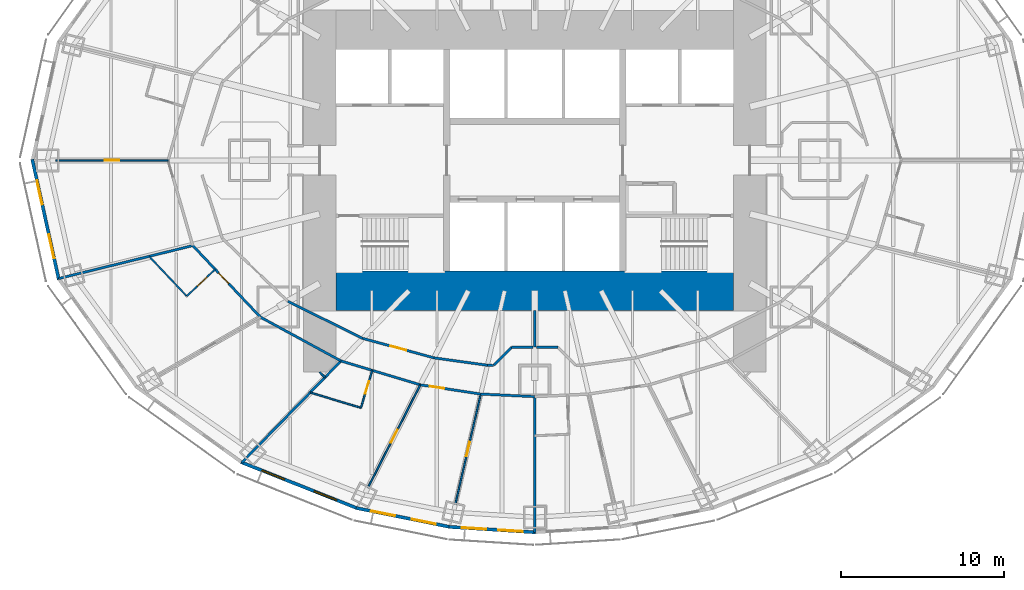
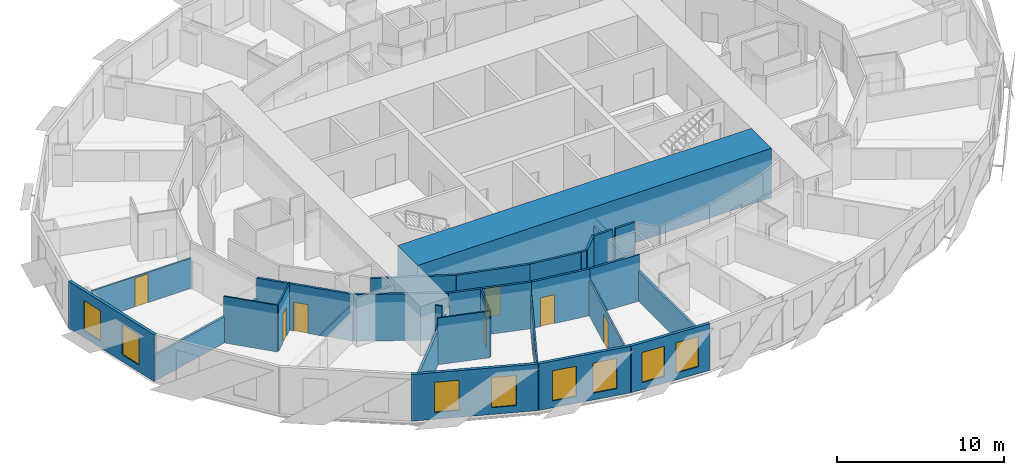
# One storey, part 5 of 15: 29 walls, 8 doors, 8 windows, 16 openings.
"""IFC4 building model written with IfcOpenShell, lengths in metres."""

from ifc_helpers import new_model, si_unit, direction, frame, frame_2d, origin, place, context, subcontext, project, spatial, rectangle, extrude, material, layer, layer_set, type_object, element, fill, save


model = new_model("IFC4")

# Units and contexts
model_context = context("Model", 3, precision=1e-05, world=origin(), true_north=direction((0.0, 1.0)))
body_context = subcontext(model_context, "Body", "Model", "MODEL_VIEW")
ifc_project = project(units=[si_unit("LENGTHUNIT", "METRE"), si_unit("AREAUNIT", "SQUARE_METRE"), si_unit("VOLUMEUNIT", "CUBIC_METRE"), si_unit("PLANEANGLEUNIT", "RADIAN"), si_unit("MASSUNIT", "GRAM", prefix="KILO")], contexts=[model_context])

# Site, building, storey
site_placement = place(None, origin())
site = spatial("IfcSite", under=ifc_project, at=site_placement, CompositionType="ELEMENT")
building_placement = place(site_placement, origin())
building = spatial("IfcBuilding", under=site, at=building_placement, Name="Lantaw Convention Tower", CompositionType="ELEMENT")
storey_placement = place(building_placement, frame((0.0, 0.0, 101.800048828125)))
storey = spatial("IfcBuildingStorey", under=building, at=storey_placement, Name="L24", CompositionType="ELEMENT", Elevation=101.800048828125)

# Walls
ifc_material_1 = material(Name="Gypsum board on steel studs", Category="steel")
ifc_layer_1 = layer(ifc_material_1, 0.14990234375)
ifc_layer_set_1 = layer_set([ifc_layer_1], Name="Back of house wall 150")
wall_type_1 = type_object("IfcWallType", Name="Back of house wall 150", PredefinedType="PARTITIONING", material=ifc_layer_set_1)
wall_1_placement = place(storey_placement, frame((0.0, -9.199951171875, 0.0), z_axis=(0.0, 0.0, 1.0), x_axis=(0.0, -1.0, 0.0)))
element("IfcWall", 1, at=wall_1_placement, inside=storey, type_object=wall_type_1, Name="Back of house wall 150", PredefinedType="PARTITIONING", context=body_context, shape_type="SweptSolid", body=[
    extrude(rectangle(XDim=2.26513671875, YDim=0.14990234375, at=frame_2d((1.132568359375, 0.0))), origin(), (0.0, 0.0, 1.0), 2.199951171875),
])
wall_2_placement = place(storey_placement, frame((0.103271484375, -11.47509765625, 0.0), z_axis=(0.0, 0.0, 1.0), x_axis=(1.0, 0.0, 0.0)))
element("IfcWall", 2, at=wall_2_placement, inside=storey, type_object=wall_type_1, Name="Back of house wall 150", PredefinedType="PARTITIONING", context=body_context, shape_type="SweptSolid", body=[
    extrude(rectangle(XDim=1.3212890625, YDim=0.14990234375, at=frame_2d((0.66064453125, 0.0))), origin(), (0.0, 0.0, 1.0), 3.39990234375),
])

# Wall, opening, door
ifc_material_2 = material(Name="Moisture resistant gypsum board on steel studs", Category="steel")
ifc_layer_2 = layer(ifc_material_2, 0.10009765625)
ifc_layer_set_2 = layer_set([ifc_layer_2], Name="Bathroom wall 100")
wall_type_2 = type_object("IfcWallType", Name="Bathroom wall 100", PredefinedType="PARTITIONING", material=ifc_layer_set_2)
wall_3_placement = place(storey_placement, frame((-19.610107421875, -6.68505859375, 0.0), z_axis=(0.0, 0.0, 1.0), x_axis=(-0.726564480261, -0.687098287018, 0.0)))
wall_3 = element("IfcWall", 3, at=wall_3_placement, inside=storey, type_object=wall_type_2, Name="Bathroom wall 100", PredefinedType="PARTITIONING", context=body_context, shape_type="SweptSolid", body=[
    extrude(rectangle(XDim=2.400146484375, YDim=0.10009765625, at=frame_2d((1.2001953125, 0.0))), origin(), (0.0, 0.0, 1.0), 3.39990234375),
])
opening_1_placement = place(wall_3_placement, frame((0.699951171875, 0.0, 0.0)))
opening_1 = element("IfcOpeningElement", 4, at=opening_1_placement, cuts=wall_3, Name="Opening L24.40", PredefinedType="OPENING", context=body_context, shape_type="SweptSolid", body=[
    extrude(rectangle(XDim=0.800048828125, YDim=2.10009765625, at=frame_2d((0.39990234375, 1.050048828125))), frame((0.0, 0.06005859375, 0.0), z_axis=(0.0, -1.0, 0.0), x_axis=(1.0, 0.0, 0.0)), (0.0, 0.0, 1.0), 0.1201171875),
])
ifc_material_3 = material(Name="Timber", Category="wood")
door_type_1 = type_object("IfcDoorType", Name="Bathroom door 800", OperationType="SINGLE_SWING_LEFT", PredefinedType="DOOR", material=ifc_material_3)
door_1_placement = place(opening_1_placement, origin())
door_1 = element("IfcDoor", 5, at=door_1_placement, inside=storey, type_object=door_type_1, Name="Bathroom door", OperationType="SINGLE_SWING_LEFT", OverallHeight=2.10009765625, OverallWidth=0.800048828125, PredefinedType="DOOR", context=body_context, shape_type="SweptSolid", body=[
    extrude(rectangle(XDim=0.800048828125, YDim=2.10009765625, at=frame_2d((0.39990234375, 1.050048828125))), frame((0.0, 0.02490234375, 0.0), z_axis=(0.0, -1.0, 0.0), x_axis=(1.0, 0.0, 0.0)), (0.0, 0.0, 1.0), 0.050048828125),
])
fill(opening_1, door_1)

# Wall
wall_4_placement = place(storey_placement, frame((-21.35400390625, -8.334228515625, 0.0), z_axis=(0.0, 0.0, 1.0), x_axis=(-0.68705752606, 0.726603024963, 0.0)))
element("IfcWall", 6, at=wall_4_placement, inside=storey, type_object=wall_type_2, Name="Bathroom wall 100", PredefinedType="PARTITIONING", context=body_context, shape_type="SweptSolid", body=[
    extrude(rectangle(XDim=3.352294921875, YDim=0.10009765625, at=frame_2d((1.67626953125, 0.0))), origin(), (0.0, 0.0, 1.0), 3.39990234375),
])

# Wall, opening, door
wall_5_placement = place(storey_placement, frame((-9.97314453125, -12.88720703125, 0.0), z_axis=(0.0, 0.0, 1.0), x_axis=(-0.288290341405, -0.957543042924, 0.0)))
wall_5 = element("IfcWall", 7, at=wall_5_placement, inside=storey, type_object=wall_type_2, Name="Bathroom wall 100", PredefinedType="PARTITIONING", context=body_context, shape_type="SweptSolid", body=[
    extrude(rectangle(XDim=2.39990234375, YDim=0.10009765625, at=frame_2d((1.199951171875, 0.0))), origin(), (0.0, 0.0, 1.0), 3.39990234375),
])
opening_2_placement = place(wall_5_placement, frame((0.699951171875, 0.0, 0.0)))
opening_2 = element("IfcOpeningElement", 8, at=opening_2_placement, cuts=wall_5, Name="Opening L24.43", PredefinedType="OPENING", context=body_context, shape_type="SweptSolid", body=[
    extrude(rectangle(XDim=0.800048828125, YDim=2.10009765625, at=frame_2d((0.39990234375, 1.050048828125))), frame((0.0, 0.06005859375, 0.0), z_axis=(0.0, -1.0, 0.0), x_axis=(1.0, 0.0, 0.0)), (0.0, 0.0, 1.0), 0.1201171875),
])
door_2_placement = place(opening_2_placement, origin())
door_2 = element("IfcDoor", 9, at=door_2_placement, inside=storey, type_object=door_type_1, Name="Bathroom door", OperationType="SINGLE_SWING_LEFT", OverallHeight=2.10009765625, OverallWidth=0.800048828125, PredefinedType="DOOR", context=body_context, shape_type="SweptSolid", body=[
    extrude(rectangle(XDim=0.800048828125, YDim=2.10009765625, at=frame_2d((0.39990234375, 1.050048828125))), frame((0.0, 0.02490234375, 0.0), z_axis=(0.0, -1.0, 0.0), x_axis=(1.0, 0.0, 0.0)), (0.0, 0.0, 1.0), 0.050048828125),
])
fill(opening_2, door_2)

# Walls
wall_6_placement = place(storey_placement, frame((-10.6650390625, -15.185302734375, 0.0), z_axis=(0.0, 0.0, 1.0), x_axis=(-0.957568413147, 0.288206061946, 0.0)))
element("IfcWall", 10, at=wall_6_placement, inside=storey, type_object=wall_type_2, Name="Bathroom wall 100", PredefinedType="PARTITIONING", context=body_context, shape_type="SweptSolid", body=[
    extrude(rectangle(XDim=3.23583984375, YDim=0.10009765625, at=frame_2d((1.617919921875, 0.0))), origin(), (0.0, 0.0, 1.0), 3.39990234375),
])
ifc_material_4 = material(Name="Concrete C60/75", Category="concrete")
ifc_layer_3 = layer(ifc_material_4, 2.39990234375)
ifc_layer_set_3 = layer_set([ifc_layer_3], Name="Core wall 2400")
wall_type_3 = type_object("IfcWallType", Name="Core wall 2400", PredefinedType="SHEAR", material=ifc_layer_set_3)
wall_7_placement = place(storey_placement, frame((-12.199951171875, -8.0, 0.0), z_axis=(0.0, 0.0, 1.0), x_axis=(1.0, 0.0, 0.0)))
element("IfcWall", 11, at=wall_7_placement, inside=storey, type_object=wall_type_3, Name="Core wall S", PredefinedType="SHEAR", context=body_context, shape_type="SweptSolid", body=[
    extrude(rectangle(XDim=24.39990234375, YDim=2.39990234375, at=frame_2d((12.199951171875, 0.0))), origin(), (0.0, 0.0, 1.0), 3.599853515625),
])

# Wall, opening, door
ifc_material_5 = material(Name="Gypsum board on steel studs, fire rated", Category="steel")
ifc_layer_4 = layer(ifc_material_5, 0.14990234375)
ifc_layer_set_4 = layer_set([ifc_layer_4], Name="Corridor wall 150 EI 60")
wall_type_4 = type_object("IfcWallType", Name="Corridor wall 150 EI 60", PredefinedType="PARTITIONING", material=ifc_layer_set_4)
wall_8_placement = place(storey_placement, frame((-20.984375, -5.23193359375, 0.0), z_axis=(0.0, 0.0, 1.0), x_axis=(0.687062608696, -0.726598218916, 0.0)))
wall_8 = element("IfcWall", 12, at=wall_8_placement, inside=storey, type_object=wall_type_4, Name="Corridor wall 150", PredefinedType="PARTITIONING", context=body_context, shape_type="SweptSolid", body=[
    extrude(rectangle(XDim=6.039306640625, YDim=0.14990234375, at=frame_2d((3.01953125, 0.0))), origin(), (0.0, 0.0, 1.0), 3.39990234375),
])
opening_3_placement = place(wall_8_placement, frame((2.306396484375, 0.0, 0.0)))
opening_3 = element("IfcOpeningElement", 13, at=opening_3_placement, cuts=wall_8, Name="Opening L24.42", PredefinedType="OPENING", context=body_context, shape_type="SweptSolid", body=[
    extrude(rectangle(XDim=0.89990234375, YDim=2.10009765625, at=frame_2d((0.449951171875, 1.050048828125))), frame((0.0, 0.0849609375, 0.0), z_axis=(0.0, -1.0, 0.0), x_axis=(1.0, 0.0, 0.0)), (0.0, 0.0, 1.0), 0.169921875),
])
ifc_material_6 = material(Name="Steel, fire rated", Category="steel")
door_type_2 = type_object("IfcDoorType", Name="Guest room entrance door FD30S", OperationType="SINGLE_SWING_LEFT", PredefinedType="DOOR", material=ifc_material_6)
door_3_placement = place(opening_3_placement, origin())
door_3 = element("IfcDoor", 14, at=door_3_placement, inside=storey, type_object=door_type_2, Name="Suite entrance door", OperationType="SINGLE_SWING_LEFT", OverallHeight=2.10009765625, OverallWidth=0.89990234375, PredefinedType="DOOR", context=body_context, shape_type="SweptSolid", body=[
    extrude(rectangle(XDim=0.89990234375, YDim=2.10009765625, at=frame_2d((0.449951171875, 1.050048828125))), frame((0.0, 0.02490234375, 0.0), z_axis=(0.0, -1.0, 0.0), x_axis=(1.0, 0.0, 0.0)), (0.0, 0.0, 1.0), 0.050048828125),
])
fill(opening_3, door_3)

# Walls
wall_9_placement = place(storey_placement, frame((-16.8349609375, -9.6201171875, 0.0), z_axis=(0.0, 0.0, 1.0), x_axis=(0.878450059298, -0.477834169267, 0.0)))
element("IfcWall", 15, at=wall_9_placement, inside=storey, type_object=wall_type_4, Name="Corridor wall 150", PredefinedType="PARTITIONING", context=body_context, shape_type="SweptSolid", body=[
    extrude(rectangle(XDim=5.630859375, YDim=0.14990234375, at=frame_2d((2.8154296875, 0.0))), origin(), (0.0, 0.0, 1.0), 3.39990234375),
])
wall_10_placement = place(storey_placement, frame((-11.888427734375, -12.310791015625, 0.0), z_axis=(0.0, 0.0, 1.0), x_axis=(0.957564241242, -0.288219922793, 0.0)))
element("IfcWall", 16, at=wall_10_placement, inside=storey, type_object=wall_type_4, Name="Corridor wall 150", PredefinedType="PARTITIONING", context=body_context, shape_type="SweptSolid", body=[
    extrude(rectangle(XDim=5.0849609375, YDim=0.14990234375, at=frame_2d((2.54248046875, 0.0))), origin(), (0.0, 0.0, 1.0), 3.39990234375),
])

# Wall, opening, door
wall_11_placement = place(storey_placement, frame((-7.019287109375, -13.7763671875, 0.0), z_axis=(0.0, 0.0, 1.0), x_axis=(0.988564270062, -0.150800145746, 0.0)))
wall_11 = element("IfcWall", 17, at=wall_11_placement, inside=storey, type_object=wall_type_4, Name="Corridor wall 150", PredefinedType="PARTITIONING", context=body_context, shape_type="SweptSolid", body=[
    extrude(rectangle(XDim=3.751220703125, YDim=0.14990234375, at=frame_2d((1.87548828125, 0.0))), origin(), (0.0, 0.0, 1.0), 3.39990234375),
])
opening_4_placement = place(wall_11_placement, frame((0.5751953125, 0.0, 0.0)))
opening_4 = element("IfcOpeningElement", 18, at=opening_4_placement, cuts=wall_11, Name="Opening L24.46", PredefinedType="OPENING", context=body_context, shape_type="SweptSolid", body=[
    extrude(rectangle(XDim=0.89990234375, YDim=2.10009765625, at=frame_2d((0.449951171875, 1.050048828125))), frame((0.0, 0.0849609375, 0.0), z_axis=(0.0, -1.0, 0.0), x_axis=(1.0, 0.0, 0.0)), (0.0, 0.0, 1.0), 0.169921875),
])
door_4_placement = place(opening_4_placement, origin())
door_4 = element("IfcDoor", 19, at=door_4_placement, inside=storey, type_object=door_type_2, Name="Suite entrance door", OperationType="SINGLE_SWING_LEFT", OverallHeight=2.10009765625, OverallWidth=0.89990234375, PredefinedType="DOOR", context=body_context, shape_type="SweptSolid", body=[
    extrude(rectangle(XDim=0.89990234375, YDim=2.10009765625, at=frame_2d((0.449951171875, 1.050048828125))), frame((0.0, 0.02490234375, 0.0), z_axis=(0.0, -1.0, 0.0), x_axis=(1.0, 0.0, 0.0)), (0.0, 0.0, 1.0), 0.050048828125),
])
fill(opening_4, door_4)

# Walls
wall_12_placement = place(storey_placement, frame((-3.31103515625, -14.342041015625, 0.0), z_axis=(0.0, 0.0, 1.0), x_axis=(0.998863968075, -0.047652631422, 0.0)))
element("IfcWall", 20, at=wall_12_placement, inside=storey, type_object=wall_type_4, Name="Corridor wall 150", PredefinedType="PARTITIONING", context=body_context, shape_type="SweptSolid", body=[
    extrude(rectangle(XDim=3.314697265625, YDim=0.14990234375, at=frame_2d((1.6572265625, 0.0))), origin(), (0.0, 0.0, 1.0), 3.39990234375),
])
wall_13_placement = place(storey_placement, frame((-15.1474609375, -8.65576171875, 0.0), z_axis=(0.0, 0.0, 1.0), x_axis=(0.89656943448, -0.442903205177, 0.0)))
element("IfcWall", 21, at=wall_13_placement, inside=storey, type_object=wall_type_4, Name="Corridor wall 150", PredefinedType="PARTITIONING", context=body_context, shape_type="SweptSolid", body=[
    extrude(rectangle(XDim=5.12646484375, YDim=0.14990234375, at=frame_2d((2.563232421875, 0.0))), origin(), (0.0, 0.0, 1.0), 3.39990234375),
])

# Wall, opening, door
wall_14_placement = place(storey_placement, frame((-10.55126953125, -10.92626953125, 0.0), z_axis=(0.0, 0.0, 1.0), x_axis=(0.964644466646, -0.263554648923, 0.0)))
wall_14 = element("IfcWall", 22, at=wall_14_placement, inside=storey, type_object=wall_type_4, Name="Corridor wall 150", PredefinedType="PARTITIONING", context=body_context, shape_type="SweptSolid", body=[
    extrude(rectangle(XDim=4.535400390625, YDim=0.14990234375, at=frame_2d((2.267578125, 0.0))), origin(), (0.0, 0.0, 1.0), 3.39990234375),
])
opening_5_placement = place(wall_14_placement, frame((1.767578125, 0.0, 0.0)))
opening_5 = element("IfcOpeningElement", 23, at=opening_5_placement, cuts=wall_14, Name="Opening L24.21", PredefinedType="OPENING", context=body_context, shape_type="SweptSolid", body=[
    extrude(rectangle(XDim=1.0, YDim=2.10009765625, at=frame_2d((0.5, 1.050048828125))), frame((0.0, 0.0849609375, 0.0), z_axis=(0.0, -1.0, 0.0), x_axis=(1.0, 0.0, 0.0)), (0.0, 0.0, 1.0), 0.169921875),
])
door_type_3 = type_object("IfcDoorType", Name="Service door 1000 FD30", OperationType="SINGLE_SWING_LEFT", PredefinedType="DOOR", material=ifc_material_6)
door_5_placement = place(opening_5_placement, origin())
door_5 = element("IfcDoor", 24, at=door_5_placement, inside=storey, type_object=door_type_3, Name="Staff room door", OperationType="SINGLE_SWING_LEFT", OverallHeight=2.10009765625, OverallWidth=1.0, PredefinedType="DOOR", context=body_context, shape_type="SweptSolid", body=[
    extrude(rectangle(XDim=1.0, YDim=2.10009765625, at=frame_2d((0.5, 1.050048828125))), frame((0.0, 0.02490234375, 0.0), z_axis=(0.0, -1.0, 0.0), x_axis=(1.0, 0.0, 0.0)), (0.0, 0.0, 1.0), 0.050048828125),
])
fill(opening_5, door_5)

# Walls
wall_15_placement = place(storey_placement, frame((-6.17626953125, -12.12158203125, 0.0), z_axis=(0.0, 0.0, 1.0), x_axis=(0.990563451353, -0.137054911782, 0.0)))
element("IfcWall", 25, at=wall_15_placement, inside=storey, type_object=wall_type_4, Name="Corridor wall 150", PredefinedType="PARTITIONING", context=body_context, shape_type="SweptSolid", body=[
    extrude(rectangle(XDim=3.304443359375, YDim=0.14990234375, at=frame_2d((1.65234375, 0.0))), origin(), (0.0, 0.0, 1.0), 3.39990234375),
])
wall_16_placement = place(storey_placement, frame((-2.903076171875, -12.574462890625, 0.0), z_axis=(0.0, 0.0, 1.0), x_axis=(0.999061181733, -0.04332153223, 0.0)))
element("IfcWall", 26, at=wall_16_placement, inside=storey, type_object=wall_type_4, Name="Corridor wall 150", PredefinedType="PARTITIONING", context=body_context, shape_type="SweptSolid", body=[
    extrude(rectangle(XDim=0.3662109375, YDim=0.14990234375, at=frame_2d((0.18310546875, 0.0))), origin(), (0.0, 0.0, 1.0), 3.39990234375),
])
wall_17_placement = place(storey_placement, frame((-2.50634765625, -12.57373046875, 0.0), z_axis=(0.0, 0.0, 1.0), x_axis=(0.701622806479, 0.712548550927, 0.0)))
element("IfcWall", 27, at=wall_17_placement, inside=storey, type_object=wall_type_4, Name="Corridor wall 150", PredefinedType="PARTITIONING", context=body_context, shape_type="SweptSolid", body=[
    extrude(rectangle(XDim=1.541748046875, YDim=0.14990234375, at=frame_2d((0.77099609375, 0.0))), origin(), (0.0, 0.0, 1.0), 3.39990234375),
])
wall_18_placement = place(storey_placement, frame((-1.424560546875, -11.47509765625, 0.0), z_axis=(0.0, 0.0, 1.0), x_axis=(1.0, 0.0, 0.0)))
element("IfcWall", 28, at=wall_18_placement, inside=storey, type_object=wall_type_4, Name="Corridor wall 150", PredefinedType="PARTITIONING", context=body_context, shape_type="SweptSolid", body=[
    extrude(rectangle(XDim=1.3212890625, YDim=0.14990234375, at=frame_2d((0.66064453125, 0.0))), origin(), (0.0, 0.0, 1.0), 3.39990234375),
])

# Wall, openings, windows
ifc_material_7 = material(Name="Insulated aluminium panel on steel frame", Category="steel")
ifc_layer_5 = layer(ifc_material_7, 0.199951171875)
ifc_layer_set_5 = layer_set([ifc_layer_5], Name="External wall 200")
wall_type_5 = type_object("IfcWallType", Name="External wall 200", PredefinedType="SOLIDWALL", material=ifc_layer_set_5)
wall_19_placement = place(storey_placement, frame((-30.83544921875, 0.06689453125, 0.0), z_axis=(0.0, 0.0, 1.0), x_axis=(0.215238065514, -0.976561608478, 0.0)))
wall_19 = element("IfcWall", 29, at=wall_19_placement, inside=storey, type_object=wall_type_5, Name="Facade panel wall", PredefinedType="SOLIDWALL", context=body_context, shape_type="SweptSolid", body=[
    extrude(rectangle(XDim=7.562255859375, YDim=0.199951171875, at=frame_2d((3.78125, 0.0))), origin(), (0.0, 0.0, 1.0), 3.39990234375),
])
opening_6_placement = place(wall_19_placement, frame((1.340576171875, 0.0, 0.5)))
opening_6 = element("IfcOpeningElement", 30, at=opening_6_placement, cuts=wall_19, Name="Opening W2", PredefinedType="OPENING", context=body_context, shape_type="SweptSolid", body=[
    extrude(rectangle(XDim=1.5, YDim=2.199951171875, at=frame_2d((0.75, 1.10009765625))), frame((0.0, 0.10986328125, 0.0), z_axis=(0.0, -1.0, 0.0), x_axis=(1.0, 0.0, 0.0)), (0.0, 0.0, 1.0), 0.219970703125),
])
opening_7_placement = place(wall_19_placement, frame((4.7216796875, 0.0, 0.5)))
opening_7 = element("IfcOpeningElement", 31, at=opening_7_placement, cuts=wall_19, Name="Opening W2", PredefinedType="OPENING", context=body_context, shape_type="SweptSolid", body=[
    extrude(rectangle(XDim=1.5, YDim=2.199951171875, at=frame_2d((0.75, 1.10009765625))), frame((0.0, 0.10986328125, 0.0), z_axis=(0.0, -1.0, 0.0), x_axis=(1.0, 0.0, 0.0)), (0.0, 0.0, 1.0), 0.219970703125),
])
ifc_material_8 = material(Name="Aluminium frame, clear insulating glass", Category="aluminium")
window_type = type_object("IfcWindowType", Name="Suite window 1500x2200", PartitioningType="SINGLE_PANEL", PredefinedType="WINDOW", material=ifc_material_8)
window_1_placement = place(opening_6_placement, origin())
window_1 = element("IfcWindow", 32, at=window_1_placement, inside=storey, type_object=window_type, Name="Guest room window", OverallHeight=2.199951171875, OverallWidth=1.5, PartitioningType="SINGLE_PANEL", PredefinedType="WINDOW", context=body_context, shape_type="SweptSolid", body=[
    extrude(rectangle(XDim=1.5, YDim=2.199951171875, at=frame_2d((0.75, 1.10009765625))), frame((0.0, 0.030029296875, 0.0), z_axis=(0.0, -1.0, 0.0), x_axis=(1.0, 0.0, 0.0)), (0.0, 0.0, 1.0), 0.06005859375),
])
fill(opening_6, window_1)
window_2_placement = place(opening_7_placement, origin())
window_2 = element("IfcWindow", 33, at=window_2_placement, inside=storey, type_object=window_type, Name="Guest room window", OverallHeight=2.199951171875, OverallWidth=1.5, PartitioningType="SINGLE_PANEL", PredefinedType="WINDOW", context=body_context, shape_type="SweptSolid", body=[
    extrude(rectangle(XDim=1.5, YDim=2.199951171875, at=frame_2d((0.75, 1.10009765625))), frame((0.0, 0.030029296875, 0.0), z_axis=(0.0, -1.0, 0.0), x_axis=(1.0, 0.0, 0.0)), (0.0, 0.0, 1.0), 0.06005859375),
])
fill(opening_7, window_2)

wall_20_placement = place(storey_placement, frame((-18.018310546875, -18.522705078125, 0.0), z_axis=(0.0, 0.0, 1.0), x_axis=(0.929358351251, -0.369178892895, 0.0)))
wall_20 = element("IfcWall", 34, at=wall_20_placement, inside=storey, type_object=wall_type_5, Name="Facade panel wall", PredefinedType="SOLIDWALL", context=body_context, shape_type="SweptSolid", body=[
    extrude(rectangle(XDim=7.6923828125, YDim=0.199951171875, at=frame_2d((3.84619140625, 0.0))), origin(), (0.0, 0.0, 1.0), 3.39990234375),
])
opening_8_placement = place(wall_20_placement, frame((1.373046875, 0.0, 0.5)))
opening_8 = element("IfcOpeningElement", 35, at=opening_8_placement, cuts=wall_20, Name="Opening W2", PredefinedType="OPENING", context=body_context, shape_type="SweptSolid", body=[
    extrude(rectangle(XDim=1.5, YDim=2.199951171875, at=frame_2d((0.75, 1.10009765625))), frame((0.0, 0.10986328125, 0.0), z_axis=(0.0, -1.0, 0.0), x_axis=(1.0, 0.0, 0.0)), (0.0, 0.0, 1.0), 0.219970703125),
])
opening_9_placement = place(wall_20_placement, frame((4.819091796875, 0.0, 0.5)))
opening_9 = element("IfcOpeningElement", 36, at=opening_9_placement, cuts=wall_20, Name="Opening W2", PredefinedType="OPENING", context=body_context, shape_type="SweptSolid", body=[
    extrude(rectangle(XDim=1.5, YDim=2.199951171875, at=frame_2d((0.75, 1.10009765625))), frame((0.0, 0.10986328125, 0.0), z_axis=(0.0, -1.0, 0.0), x_axis=(1.0, 0.0, 0.0)), (0.0, 0.0, 1.0), 0.219970703125),
])
window_3_placement = place(opening_8_placement, origin())
window_3 = element("IfcWindow", 37, at=window_3_placement, inside=storey, type_object=window_type, Name="Guest room window", OverallHeight=2.199951171875, OverallWidth=1.5, PartitioningType="SINGLE_PANEL", PredefinedType="WINDOW", context=body_context, shape_type="SweptSolid", body=[
    extrude(rectangle(XDim=1.5, YDim=2.199951171875, at=frame_2d((0.75, 1.10009765625))), frame((0.0, 0.030029296875, 0.0), z_axis=(0.0, -1.0, 0.0), x_axis=(1.0, 0.0, 0.0)), (0.0, 0.0, 1.0), 0.06005859375),
])
fill(opening_8, window_3)
window_4_placement = place(opening_9_placement, origin())
window_4 = element("IfcWindow", 38, at=window_4_placement, inside=storey, type_object=window_type, Name="Guest room window", OverallHeight=2.199951171875, OverallWidth=1.5, PartitioningType="SINGLE_PANEL", PredefinedType="WINDOW", context=body_context, shape_type="SweptSolid", body=[
    extrude(rectangle(XDim=1.5, YDim=2.199951171875, at=frame_2d((0.75, 1.10009765625))), frame((0.0, 0.030029296875, 0.0), z_axis=(0.0, -1.0, 0.0), x_axis=(1.0, 0.0, 0.0)), (0.0, 0.0, 1.0), 0.06005859375),
])
fill(opening_9, window_4)

wall_21_placement = place(storey_placement, frame((-10.956787109375, -21.336669921875, 0.0), z_axis=(0.0, 0.0, 1.0), x_axis=(0.980251657452, -0.197754110105, 0.0)))
wall_21 = element("IfcWall", 39, at=wall_21_placement, inside=storey, type_object=wall_type_5, Name="Facade panel wall", PredefinedType="SOLIDWALL", context=body_context, shape_type="SweptSolid", body=[
    extrude(rectangle(XDim=5.90380859375, YDim=0.199951171875, at=frame_2d((2.951904296875, 0.0))), origin(), (0.0, 0.0, 1.0), 3.39990234375),
])
opening_10_placement = place(wall_21_placement, frame((0.92578125, 0.0, 0.5)))
opening_10 = element("IfcOpeningElement", 40, at=opening_10_placement, cuts=wall_21, Name="Opening W2", PredefinedType="OPENING", context=body_context, shape_type="SweptSolid", body=[
    extrude(rectangle(XDim=1.5, YDim=2.199951171875, at=frame_2d((0.75, 1.10009765625))), frame((0.0, 0.10986328125, 0.0), z_axis=(0.0, -1.0, 0.0), x_axis=(1.0, 0.0, 0.0)), (0.0, 0.0, 1.0), 0.219970703125),
])
opening_11_placement = place(wall_21_placement, frame((3.477783203125, 0.0, 0.5)))
opening_11 = element("IfcOpeningElement", 41, at=opening_11_placement, cuts=wall_21, Name="Opening W2", PredefinedType="OPENING", context=body_context, shape_type="SweptSolid", body=[
    extrude(rectangle(XDim=1.5, YDim=2.199951171875, at=frame_2d((0.75, 1.10009765625))), frame((0.0, 0.10986328125, 0.0), z_axis=(0.0, -1.0, 0.0), x_axis=(1.0, 0.0, 0.0)), (0.0, 0.0, 1.0), 0.219970703125),
])
window_5_placement = place(opening_10_placement, origin())
window_5 = element("IfcWindow", 42, at=window_5_placement, inside=storey, type_object=window_type, Name="Guest room window", OverallHeight=2.199951171875, OverallWidth=1.5, PartitioningType="SINGLE_PANEL", PredefinedType="WINDOW", context=body_context, shape_type="SweptSolid", body=[
    extrude(rectangle(XDim=1.5, YDim=2.199951171875, at=frame_2d((0.75, 1.10009765625))), frame((0.0, 0.030029296875, 0.0), z_axis=(0.0, -1.0, 0.0), x_axis=(1.0, 0.0, 0.0)), (0.0, 0.0, 1.0), 0.06005859375),
])
fill(opening_10, window_5)
window_6_placement = place(opening_11_placement, origin())
window_6 = element("IfcWindow", 43, at=window_6_placement, inside=storey, type_object=window_type, Name="Guest room window", OverallHeight=2.199951171875, OverallWidth=1.5, PartitioningType="SINGLE_PANEL", PredefinedType="WINDOW", context=body_context, shape_type="SweptSolid", body=[
    extrude(rectangle(XDim=1.5, YDim=2.199951171875, at=frame_2d((0.75, 1.10009765625))), frame((0.0, 0.030029296875, 0.0), z_axis=(0.0, -1.0, 0.0), x_axis=(1.0, 0.0, 0.0)), (0.0, 0.0, 1.0), 0.06005859375),
])
fill(opening_11, window_6)

wall_22_placement = place(storey_placement, frame((-5.252685546875, -22.493408203125, 0.0), z_axis=(0.0, 0.0, 1.0), x_axis=(0.998018582375, -0.062919863585, 0.0)))
wall_22 = element("IfcWall", 44, at=wall_22_placement, inside=storey, type_object=wall_type_5, Name="Facade panel wall", PredefinedType="SOLIDWALL", context=body_context, shape_type="SweptSolid", body=[
    extrude(rectangle(XDim=5.30419921875, YDim=0.199951171875, at=frame_2d((2.652099609375, 0.0))), origin(), (0.0, 0.0, 1.0), 3.39990234375),
])
opening_12_placement = place(wall_22_placement, frame((0.77587890625, 0.0, 0.5)))
opening_12 = element("IfcOpeningElement", 45, at=opening_12_placement, cuts=wall_22, Name="Opening W2", PredefinedType="OPENING", context=body_context, shape_type="SweptSolid", body=[
    extrude(rectangle(XDim=1.5, YDim=2.199951171875, at=frame_2d((0.75, 1.10009765625))), frame((0.0, 0.10986328125, 0.0), z_axis=(0.0, -1.0, 0.0), x_axis=(1.0, 0.0, 0.0)), (0.0, 0.0, 1.0), 0.219970703125),
])
opening_13_placement = place(wall_22_placement, frame((3.028076171875, 0.0, 0.5)))
opening_13 = element("IfcOpeningElement", 46, at=opening_13_placement, cuts=wall_22, Name="Opening W2", PredefinedType="OPENING", context=body_context, shape_type="SweptSolid", body=[
    extrude(rectangle(XDim=1.5, YDim=2.199951171875, at=frame_2d((0.75, 1.10009765625))), frame((0.0, 0.10986328125, 0.0), z_axis=(0.0, -1.0, 0.0), x_axis=(1.0, 0.0, 0.0)), (0.0, 0.0, 1.0), 0.219970703125),
])
window_7_placement = place(opening_12_placement, origin())
window_7 = element("IfcWindow", 47, at=window_7_placement, inside=storey, type_object=window_type, Name="Guest room window", OverallHeight=2.199951171875, OverallWidth=1.5, PartitioningType="SINGLE_PANEL", PredefinedType="WINDOW", context=body_context, shape_type="SweptSolid", body=[
    extrude(rectangle(XDim=1.5, YDim=2.199951171875, at=frame_2d((0.75, 1.10009765625))), frame((0.0, 0.030029296875, 0.0), z_axis=(0.0, -1.0, 0.0), x_axis=(1.0, 0.0, 0.0)), (0.0, 0.0, 1.0), 0.06005859375),
])
fill(opening_12, window_7)
window_8_placement = place(opening_13_placement, origin())
window_8 = element("IfcWindow", 48, at=window_8_placement, inside=storey, type_object=window_type, Name="Guest room window", OverallHeight=2.199951171875, OverallWidth=1.5, PartitioningType="SINGLE_PANEL", PredefinedType="WINDOW", context=body_context, shape_type="SweptSolid", body=[
    extrude(rectangle(XDim=1.5, YDim=2.199951171875, at=frame_2d((0.75, 1.10009765625))), frame((0.0, 0.030029296875, 0.0), z_axis=(0.0, -1.0, 0.0), x_axis=(1.0, 0.0, 0.0)), (0.0, 0.0, 1.0), 0.06005859375),
])
fill(opening_13, window_8)

# Walls
ifc_material_9 = material(Name="Gypsum board on steel studs, acoustic", Category="steel")
ifc_layer_6 = layer(ifc_material_9, 0.14990234375)
ifc_layer_set_6 = layer_set([ifc_layer_6], Name="Guest room party wall 150")
wall_type_6 = type_object("IfcWallType", Name="Guest room party wall 150", PredefinedType="PARTITIONING", material=ifc_layer_set_6)
wall_23_placement = place(storey_placement, frame((-29.221923828125, -7.253662109375, 0.0), z_axis=(0.0, 0.0, 1.0), x_axis=(0.971178166182, 0.238354713676, 0.0)))
element("IfcWall", 49, at=wall_23_placement, inside=storey, type_object=wall_type_6, Name="Guest room party wall 150", PredefinedType="PARTITIONING", context=body_context, shape_type="SweptSolid", body=[
    extrude(rectangle(XDim=8.48193359375, YDim=0.14990234375, at=frame_2d((4.240966796875, 0.0))), origin(), (0.0, 0.0, 1.0), 1.89990234375),
])
wall_24_placement = place(storey_placement, frame((-17.970458984375, -18.541748046875, 0.0), z_axis=(0.0, 0.0, 1.0), x_axis=(0.698503223934, 0.715606907564, 0.0)))
element("IfcWall", 50, at=wall_24_placement, inside=storey, type_object=wall_type_6, Name="Guest room party wall 150", PredefinedType="PARTITIONING", context=body_context, shape_type="SweptSolid", body=[
    extrude(rectangle(XDim=8.707275390625, YDim=0.14990234375, at=frame_2d((4.353515625, 0.0))), origin(), (0.0, 0.0, 1.0), 2.462646484375),
])
wall_25_placement = place(storey_placement, frame((0.0, -22.82470703125, 0.0), z_axis=(0.0, 0.0, 1.0), x_axis=(0.0, 1.0, 0.0)))
element("IfcWall", 51, at=wall_25_placement, inside=storey, type_object=wall_type_6, Name="Guest room party wall 150", PredefinedType="PARTITIONING", context=body_context, shape_type="SweptSolid", body=[
    extrude(rectangle(XDim=8.32470703125, YDim=0.14990234375, at=frame_2d((4.162353515625, 0.0))), origin(), (0.0, 0.0, 1.0), 2.199951171875),
])
ifc_layer_7 = layer(ifc_material_9, 0.10009765625)
ifc_layer_set_7 = layer_set([ifc_layer_7], Name="Office partition 100")
wall_type_7 = type_object("IfcWallType", Name="Office partition 100", PredefinedType="PARTITIONING", material=ifc_layer_set_7)
wall_26_placement = place(storey_placement, frame((-13.199951171875, -13.0, 0.0), z_axis=(0.0, 0.0, 1.0), x_axis=(0.715599628005, -0.698510681664, 0.0)))
element("IfcWall", 52, at=wall_26_placement, inside=storey, type_object=wall_type_7, Name="Office partition 100", PredefinedType="PARTITIONING", context=body_context, shape_type="SweptSolid", body=[
    extrude(rectangle(XDim=0.457275390625, YDim=0.10009765625, at=frame_2d((0.228515625, 0.0))), origin(), (0.0, 0.0, 1.0), 3.39990234375),
])

# Wall, opening, door
ifc_layer_8 = layer(ifc_material_1, 0.10009765625)
ifc_layer_set_8 = layer_set([ifc_layer_8], Name="Suite partition 100")
wall_type_8 = type_object("IfcWallType", Name="Suite partition 100", PredefinedType="PARTITIONING", material=ifc_layer_set_8)
wall_27_placement = place(storey_placement, frame((-29.39990234375, 0.0, 0.0), z_axis=(0.0, 0.0, 1.0), x_axis=(1.0, 0.0, 0.0)))
wall_27 = element("IfcWall", 53, at=wall_27_placement, inside=storey, type_object=wall_type_8, Name="Suite partition 100", PredefinedType="PARTITIONING", context=body_context, shape_type="SweptSolid", body=[
    extrude(rectangle(XDim=6.89990234375, YDim=0.10009765625, at=frame_2d((3.449951171875, 0.0))), origin(), (0.0, 0.0, 1.0), 2.199951171875),
])
opening_14_placement = place(wall_27_placement, frame((3.0, 0.0, 0.0)))
opening_14 = element("IfcOpeningElement", 54, at=opening_14_placement, cuts=wall_27, Name="Opening L24.38", PredefinedType="OPENING", context=body_context, shape_type="SweptSolid", body=[
    extrude(rectangle(XDim=0.89990234375, YDim=2.10009765625, at=frame_2d((0.449951171875, 1.050048828125))), frame((0.0, 0.06005859375, 0.0), z_axis=(0.0, -1.0, 0.0), x_axis=(1.0, 0.0, 0.0)), (0.0, 0.0, 1.0), 0.1201171875),
])
door_type_4 = type_object("IfcDoorType", Name="Suite door 900", OperationType="SINGLE_SWING_LEFT", PredefinedType="DOOR", material=ifc_material_3)
door_6_placement = place(opening_14_placement, origin())
door_6 = element("IfcDoor", 55, at=door_6_placement, inside=storey, type_object=door_type_4, Name="Bedroom door", OperationType="SINGLE_SWING_LEFT", OverallHeight=2.10009765625, OverallWidth=0.89990234375, PredefinedType="DOOR", context=body_context, shape_type="SweptSolid", body=[
    extrude(rectangle(XDim=0.89990234375, YDim=2.10009765625, at=frame_2d((0.449951171875, 1.050048828125))), frame((0.0, 0.02490234375, 0.0), z_axis=(0.0, -1.0, 0.0), x_axis=(1.0, 0.0, 0.0)), (0.0, 0.0, 1.0), 0.050048828125),
])
fill(opening_14, door_6)

wall_28_placement = place(storey_placement, frame((-10.235595703125, -20.08837890625, 0.0), z_axis=(0.0, 0.0, 1.0), x_axis=(0.454010445571, 0.890996360998, 0.0)))
wall_28 = element("IfcWall", 56, at=wall_28_placement, inside=storey, type_object=wall_type_8, Name="Suite partition 100", PredefinedType="PARTITIONING", context=body_context, shape_type="SweptSolid", body=[
    extrude(rectangle(XDim=7.084228515625, YDim=0.10009765625, at=frame_2d((3.5419921875, 0.0))), origin(), (0.0, 0.0, 1.0), 2.462646484375),
])
opening_15_placement = place(wall_28_placement, frame((3.092041015625, 0.0, 0.0)))
opening_15 = element("IfcOpeningElement", 57, at=opening_15_placement, cuts=wall_28, Name="Opening L24.44", PredefinedType="OPENING", context=body_context, shape_type="SweptSolid", body=[
    extrude(rectangle(XDim=0.89990234375, YDim=2.10009765625, at=frame_2d((0.449951171875, 1.050048828125))), frame((0.0, 0.06005859375, 0.0), z_axis=(0.0, -1.0, 0.0), x_axis=(1.0, 0.0, 0.0)), (0.0, 0.0, 1.0), 0.1201171875),
])
door_7_placement = place(opening_15_placement, origin())
door_7 = element("IfcDoor", 58, at=door_7_placement, inside=storey, type_object=door_type_4, Name="Bedroom door", OperationType="SINGLE_SWING_LEFT", OverallHeight=2.10009765625, OverallWidth=0.89990234375, PredefinedType="DOOR", context=body_context, shape_type="SweptSolid", body=[
    extrude(rectangle(XDim=0.89990234375, YDim=2.10009765625, at=frame_2d((0.449951171875, 1.050048828125))), frame((0.0, 0.02490234375, 0.0), z_axis=(0.0, -1.0, 0.0), x_axis=(1.0, 0.0, 0.0)), (0.0, 0.0, 1.0), 0.050048828125),
])
fill(opening_15, door_7)

wall_29_placement = place(storey_placement, frame((-4.873779296875, -21.11083984375, 0.0), z_axis=(0.0, 0.0, 1.0), x_axis=(0.224957040173, 0.974368682828, 0.0)))
wall_29 = element("IfcWall", 59, at=wall_29_placement, inside=storey, type_object=wall_type_8, Name="Suite partition 100", PredefinedType="PARTITIONING", context=body_context, shape_type="SweptSolid", body=[
    extrude(rectangle(XDim=6.94677734375, YDim=0.10009765625, at=frame_2d((3.473388671875, 0.0))), origin(), (0.0, 0.0, 1.0), 2.55419921875),
])
opening_16_placement = place(wall_29_placement, frame((3.0234375, 0.0, 0.0)))
opening_16 = element("IfcOpeningElement", 60, at=opening_16_placement, cuts=wall_29, Name="Opening L24.45", PredefinedType="OPENING", context=body_context, shape_type="SweptSolid", body=[
    extrude(rectangle(XDim=0.89990234375, YDim=2.10009765625, at=frame_2d((0.449951171875, 1.050048828125))), frame((0.0, 0.06005859375, 0.0), z_axis=(0.0, -1.0, 0.0), x_axis=(1.0, 0.0, 0.0)), (0.0, 0.0, 1.0), 0.1201171875),
])
door_8_placement = place(opening_16_placement, origin())
door_8 = element("IfcDoor", 61, at=door_8_placement, inside=storey, type_object=door_type_4, Name="Kitchenette door", OperationType="SINGLE_SWING_LEFT", OverallHeight=2.10009765625, OverallWidth=0.89990234375, PredefinedType="DOOR", context=body_context, shape_type="SweptSolid", body=[
    extrude(rectangle(XDim=0.89990234375, YDim=2.10009765625, at=frame_2d((0.449951171875, 1.050048828125))), frame((0.0, 0.02490234375, 0.0), z_axis=(0.0, -1.0, 0.0), x_axis=(1.0, 0.0, 0.0)), (0.0, 0.0, 1.0), 0.050048828125),
])
fill(opening_16, door_8)

save(model, "model.ifc")
